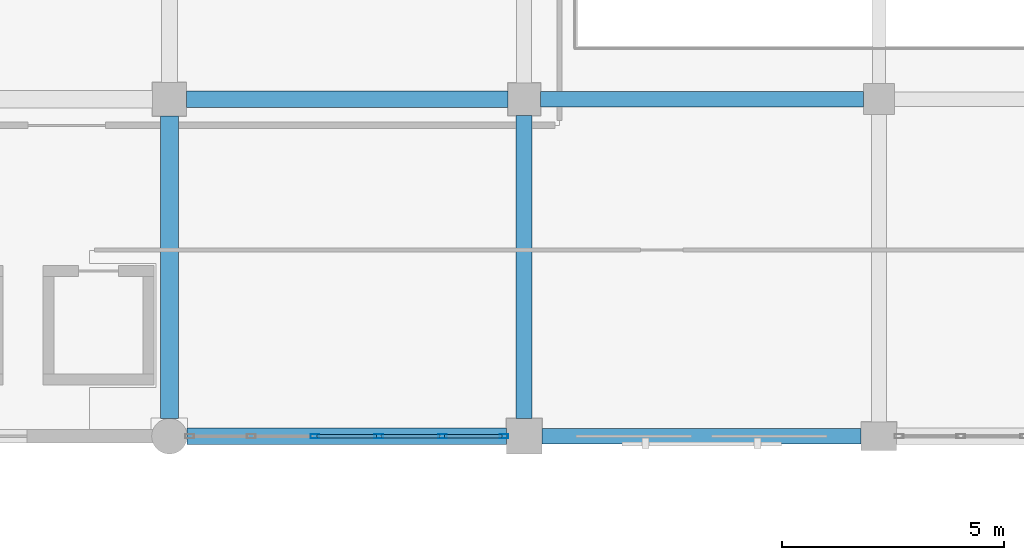
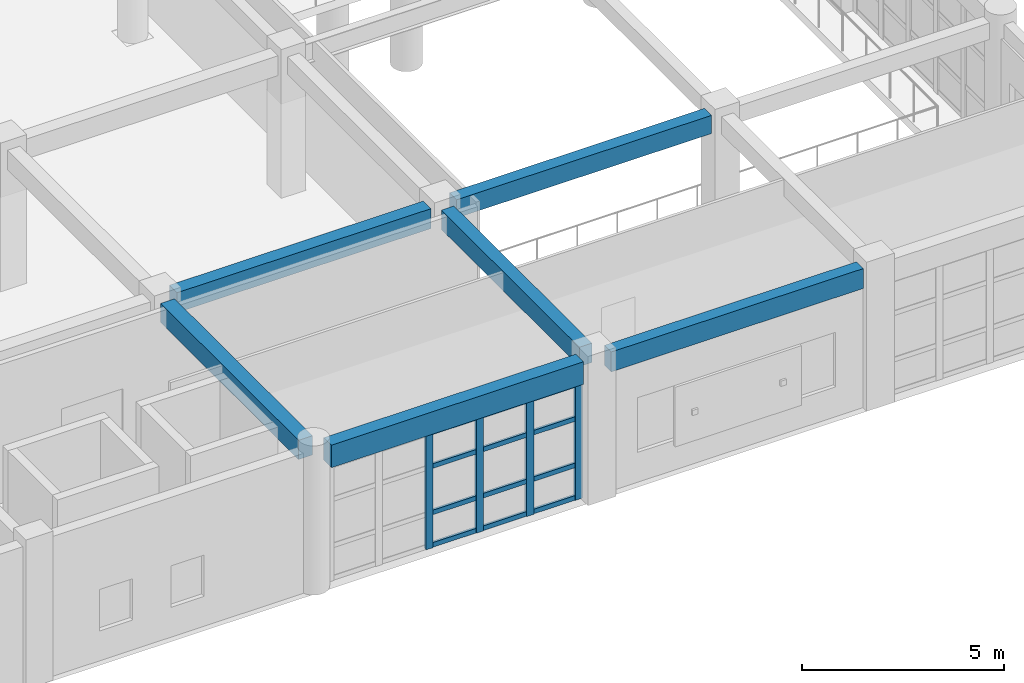
# One storey, part 78 of 166: 16 members, 6 beams, 1 element without a shape of its own.
"""IFC4 building model written with IfcOpenShell, lengths in metres."""

from ifc_helpers import new_model, si_unit, direction, frame, origin, origin_2d, place, context, subcontext, project, spatial, rectangle, hollow_rectangle, extrude, material, material_profile, profile_set, type_object, element, aggregate, save


model = new_model("IFC4")

# Units and contexts
model_context = context("Model", 3, precision=1e-05, world=origin(), true_north=direction((0.0, 1.0)))
body_context = subcontext(model_context, "Body", "Model", "MODEL_VIEW")
ifc_project = project(units=[si_unit("LENGTHUNIT", "METRE"), si_unit("AREAUNIT", "SQUARE_METRE"), si_unit("VOLUMEUNIT", "CUBIC_METRE"), si_unit("PLANEANGLEUNIT", "RADIAN"), si_unit("MASSUNIT", "GRAM", prefix="KILO")], contexts=[model_context])

# Site, building, storey
site_placement = place(None, origin())
site = spatial("IfcSite", under=ifc_project, at=site_placement, CompositionType="ELEMENT")
building_placement = place(site_placement, origin())
building = spatial("IfcBuilding", under=site, at=building_placement, Name="Kharva Crest Polytechnic", CompositionType="ELEMENT")
storey_placement = place(building_placement, origin())
storey = spatial("IfcBuildingStorey", under=building, at=storey_placement, Name="L00", CompositionType="ELEMENT", Elevation=0.0)

# Beams
ifc_material_1 = material(Name="Concrete C35/45", Category="concrete")
ifc_material_profile_1 = material_profile(ifc_material_1, rectangle(XDim=0.35009765625, YDim=0.550048828125, at=origin_2d()), Name="RECT 350 X 550")
ifc_profile_set_1 = profile_set([ifc_material_profile_1], Name="Concrete C35/45")
beam_type_1 = type_object("IfcBeamType", Name="BM-RC-350X550", PredefinedType="BEAM", material=ifc_profile_set_1)
beam_1_placement = place(storey_placement, frame((153.169921875, 7.60009765625, 3.945068359375), z_axis=(1.0, 0.0, 0.0), x_axis=(0.0, 1.0, 0.0)))
element("IfcBeam", 1, at=beam_1_placement, inside=storey, type_object=beam_type_1, Name="L00 Beam B/20-21", PredefinedType="BEAM", context=body_context, shape_type="SweptSolid", body=[
    extrude(rectangle(XDim=0.35009765625, YDim=0.550048828125, at=origin_2d()), origin(), (0.0, 0.0, 1.0), 7.280029296875),
])
ifc_material_profile_2 = material_profile(ifc_material_1, rectangle(XDim=0.360107421875, YDim=0.580078125, at=origin_2d()), Name="RECT 360 X 580")
ifc_profile_set_2 = profile_set([ifc_material_profile_2], Name="Concrete C35/45")
beam_type_2 = type_object("IfcBeamType", Name="BM-RC-360X580", PredefinedType="BEAM", material=ifc_profile_set_2)
beam_2_placement = place(storey_placement, frame((152.800048828125, 0.39990234375, 3.929931640625), z_axis=(0.0, 1.0, 0.0), x_axis=(-1.0, 0.0, 0.0)))
element("IfcBeam", 2, at=beam_2_placement, inside=storey, type_object=beam_type_2, Name="L00 Girder 20/A-B", PredefinedType="BEAM", context=body_context, shape_type="SweptSolid", body=[
    extrude(rectangle(XDim=0.360107421875, YDim=0.580078125, at=origin_2d()), origin(), (0.0, 0.0, 1.0), 6.830078125),
])
ifc_material_profile_3 = material_profile(ifc_material_1, rectangle(XDim=0.3798828125, YDim=0.60009765625, at=origin_2d()), Name="RECT 380 X 600")
ifc_profile_set_3 = profile_set([ifc_material_profile_3], Name="Concrete C35/45")
beam_type_3 = type_object("IfcBeamType", Name="BM-RC-380X600", PredefinedType="BEAM", material=ifc_profile_set_3)
beam_3_placement = place(storey_placement, frame((145.179931640625, 7.60009765625, 3.919921875), z_axis=(1.0, 0.0, 0.0), x_axis=(0.0, 1.0, 0.0)))
element("IfcBeam", 3, at=beam_3_placement, inside=storey, type_object=beam_type_3, Name="L00 Beam B/19-20", PredefinedType="BEAM", context=body_context, shape_type="SweptSolid", body=[
    extrude(rectangle(XDim=0.3798828125, YDim=0.60009765625, at=origin_2d()), origin(), (0.0, 0.0, 1.0), 7.25),
])
ifc_material_profile_4 = material_profile(ifc_material_1, rectangle(XDim=0.39990234375, YDim=0.580078125, at=origin_2d()), Name="RECT 400 X 580")
ifc_profile_set_4 = profile_set([ifc_material_profile_4], Name="Concrete C35/45")
beam_type_4 = type_object("IfcBeamType", Name="BM-RC-400X580", PredefinedType="BEAM", material=ifc_profile_set_4)
beam_4_placement = place(storey_placement, frame((144.800048828125, 0.39990234375, 3.929931640625), z_axis=(0.0, 1.0, 0.0), x_axis=(-1.0, 0.0, 0.0)))
element("IfcBeam", 4, at=beam_4_placement, inside=storey, type_object=beam_type_4, Name="L00 Girder 19/A-B", PredefinedType="BEAM", context=body_context, shape_type="SweptSolid", body=[
    extrude(rectangle(XDim=0.39990234375, YDim=0.580078125, at=origin_2d()), origin(), (0.0, 0.0, 1.0), 6.820068359375),
])

# Curtain wall, members
ifc_material_2 = material(Name="Tempered insulated glass", Category="glass")
curtain_wall_type = type_object("IfcCurtainWallType", Name="CW-SYS-REFECTORY", PredefinedType="USERDEFINED", material=ifc_material_2)
curtain_wall_placement = place(storey_placement, origin())
curtain_wall = element("IfcCurtainWall", 5, at=curtain_wall_placement, inside=storey, type_object=curtain_wall_type, Name="L00 Glazed Curtain Wall CW-008", ObjectType="CURTAIN WALL", PredefinedType="USERDEFINED")
ifc_material_3 = material(Name="Steel S355", Category="steel")
ifc_material_profile_5 = material_profile(ifc_material_3, hollow_rectangle(XDim=0.10009765625, YDim=0.199951171875, WallThickness=0.00634765625, at=origin_2d()), Name="RHS 200X100X6.3")
ifc_profile_set_5 = profile_set([ifc_material_profile_5], Name="Steel S355")
member_type_1 = type_object("IfcMemberType", Name="CWM-RHS200X100", PredefinedType="MULLION", material=ifc_profile_set_5)
member_1_placement = place(storey_placement, frame((148.0810546875, 0.0, 0.0), z_axis=(0.0, 0.0, 1.0), x_axis=(0.0, 1.0, 0.0)))
member_1 = element("IfcMember", 6, at=member_1_placement, type_object=member_type_1, Name="CW-008 mullion 3", PredefinedType="MULLION", context=body_context, shape_type="SweptSolid", body=[
    extrude(hollow_rectangle(XDim=0.10009765625, YDim=0.199951171875, WallThickness=0.00634765625, at=origin_2d()), origin(), (0.0, 0.0, 1.0), 3.5400390625),
])
member_2_placement = place(storey_placement, frame((149.51904296875, 0.0, 0.0), z_axis=(0.0, 0.0, 1.0), x_axis=(0.0, 1.0, 0.0)))
member_2 = element("IfcMember", 7, at=member_2_placement, type_object=member_type_1, Name="CW-008 mullion 4", PredefinedType="MULLION", context=body_context, shape_type="SweptSolid", body=[
    extrude(hollow_rectangle(XDim=0.10009765625, YDim=0.199951171875, WallThickness=0.00634765625, at=origin_2d()), origin(), (0.0, 0.0, 1.0), 3.5400390625),
])
member_3_placement = place(storey_placement, frame((150.95703125, 0.0, 0.0), z_axis=(0.0, 0.0, 1.0), x_axis=(0.0, 1.0, 0.0)))
member_3 = element("IfcMember", 8, at=member_3_placement, type_object=member_type_1, Name="CW-008 mullion 5", PredefinedType="MULLION", context=body_context, shape_type="SweptSolid", body=[
    extrude(hollow_rectangle(XDim=0.10009765625, YDim=0.199951171875, WallThickness=0.00634765625, at=origin_2d()), origin(), (0.0, 0.0, 1.0), 3.5400390625),
])
member_4_placement = place(storey_placement, frame((152.344970703125, 0.0, 0.0), z_axis=(0.0, 0.0, 1.0), x_axis=(0.0, 1.0, 0.0)))
member_4 = element("IfcMember", 9, at=member_4_placement, type_object=member_type_1, Name="CW-008 mullion 6", PredefinedType="MULLION", context=body_context, shape_type="SweptSolid", body=[
    extrude(hollow_rectangle(XDim=0.10009765625, YDim=0.199951171875, WallThickness=0.00634765625, at=origin_2d()), origin(), (0.0, 0.0, 1.0), 3.5400390625),
])
ifc_material_profile_6 = material_profile(ifc_material_3, hollow_rectangle(XDim=0.070068359375, YDim=0.139892578125, WallThickness=0.00390625, at=origin_2d()), Name="RHS 140X70X4.0")
ifc_profile_set_6 = profile_set([ifc_material_profile_6], Name="Steel S355")
member_type_2 = type_object("IfcMemberType", Name="CWT-RHS140X70", PredefinedType="USERDEFINED", material=ifc_profile_set_6)
member_5_placement = place(storey_placement, frame((148.131103515625, 0.0, 0.070068359375), z_axis=(1.0, 0.0, 0.0), x_axis=(0.0, 1.0, 0.0)))
member_5 = element("IfcMember", 10, at=member_5_placement, type_object=member_type_2, Name="CW-008 transom 3.1", ObjectType="TRANSOM", PredefinedType="USERDEFINED", context=body_context, shape_type="SweptSolid", body=[
    extrude(hollow_rectangle(XDim=0.070068359375, YDim=0.139892578125, WallThickness=0.00390625, at=origin_2d()), origin(), (0.0, 0.0, 1.0), 1.337890625),
])
member_6_placement = place(storey_placement, frame((148.131103515625, 0.0, 1.050048828125), z_axis=(1.0, 0.0, 0.0), x_axis=(0.0, 1.0, 0.0)))
member_6 = element("IfcMember", 11, at=member_6_placement, type_object=member_type_2, Name="CW-008 transom 3.2", ObjectType="TRANSOM", PredefinedType="USERDEFINED", context=body_context, shape_type="SweptSolid", body=[
    extrude(hollow_rectangle(XDim=0.070068359375, YDim=0.139892578125, WallThickness=0.00390625, at=origin_2d()), origin(), (0.0, 0.0, 1.0), 1.337890625),
])
member_7_placement = place(storey_placement, frame((148.131103515625, 0.0, 2.449951171875), z_axis=(1.0, 0.0, 0.0), x_axis=(0.0, 1.0, 0.0)))
member_7 = element("IfcMember", 12, at=member_7_placement, type_object=member_type_2, Name="CW-008 transom 3.3", ObjectType="TRANSOM", PredefinedType="USERDEFINED", context=body_context, shape_type="SweptSolid", body=[
    extrude(hollow_rectangle(XDim=0.070068359375, YDim=0.139892578125, WallThickness=0.00390625, at=origin_2d()), origin(), (0.0, 0.0, 1.0), 1.337890625),
])
member_8_placement = place(storey_placement, frame((148.131103515625, 0.0, 3.469970703125), z_axis=(1.0, 0.0, 0.0), x_axis=(0.0, 1.0, 0.0)))
member_8 = element("IfcMember", 13, at=member_8_placement, type_object=member_type_2, Name="CW-008 transom 3.4", ObjectType="TRANSOM", PredefinedType="USERDEFINED", context=body_context, shape_type="SweptSolid", body=[
    extrude(hollow_rectangle(XDim=0.070068359375, YDim=0.139892578125, WallThickness=0.00390625, at=origin_2d()), origin(), (0.0, 0.0, 1.0), 1.337890625),
])
member_9_placement = place(storey_placement, frame((149.569091796875, 0.0, 0.070068359375), z_axis=(1.0, 0.0, 0.0), x_axis=(0.0, 1.0, 0.0)))
member_9 = element("IfcMember", 14, at=member_9_placement, type_object=member_type_2, Name="CW-008 transom 4.1", ObjectType="TRANSOM", PredefinedType="USERDEFINED", context=body_context, shape_type="SweptSolid", body=[
    extrude(hollow_rectangle(XDim=0.070068359375, YDim=0.139892578125, WallThickness=0.00390625, at=origin_2d()), origin(), (0.0, 0.0, 1.0), 1.337890625),
])
member_10_placement = place(storey_placement, frame((149.569091796875, 0.0, 1.050048828125), z_axis=(1.0, 0.0, 0.0), x_axis=(0.0, 1.0, 0.0)))
member_10 = element("IfcMember", 15, at=member_10_placement, type_object=member_type_2, Name="CW-008 transom 4.2", ObjectType="TRANSOM", PredefinedType="USERDEFINED", context=body_context, shape_type="SweptSolid", body=[
    extrude(hollow_rectangle(XDim=0.070068359375, YDim=0.139892578125, WallThickness=0.00390625, at=origin_2d()), origin(), (0.0, 0.0, 1.0), 1.337890625),
])
member_11_placement = place(storey_placement, frame((149.569091796875, 0.0, 2.449951171875), z_axis=(1.0, 0.0, 0.0), x_axis=(0.0, 1.0, 0.0)))
member_11 = element("IfcMember", 16, at=member_11_placement, type_object=member_type_2, Name="CW-008 transom 4.3", ObjectType="TRANSOM", PredefinedType="USERDEFINED", context=body_context, shape_type="SweptSolid", body=[
    extrude(hollow_rectangle(XDim=0.070068359375, YDim=0.139892578125, WallThickness=0.00390625, at=origin_2d()), origin(), (0.0, 0.0, 1.0), 1.337890625),
])
member_12_placement = place(storey_placement, frame((149.569091796875, 0.0, 3.469970703125), z_axis=(1.0, 0.0, 0.0), x_axis=(0.0, 1.0, 0.0)))
member_12 = element("IfcMember", 17, at=member_12_placement, type_object=member_type_2, Name="CW-008 transom 4.4", ObjectType="TRANSOM", PredefinedType="USERDEFINED", context=body_context, shape_type="SweptSolid", body=[
    extrude(hollow_rectangle(XDim=0.070068359375, YDim=0.139892578125, WallThickness=0.00390625, at=origin_2d()), origin(), (0.0, 0.0, 1.0), 1.337890625),
])
member_13_placement = place(storey_placement, frame((151.007080078125, 0.0, 0.070068359375), z_axis=(1.0, 0.0, 0.0), x_axis=(0.0, 1.0, 0.0)))
member_13 = element("IfcMember", 18, at=member_13_placement, type_object=member_type_2, Name="CW-008 transom 5.1", ObjectType="TRANSOM", PredefinedType="USERDEFINED", context=body_context, shape_type="SweptSolid", body=[
    extrude(hollow_rectangle(XDim=0.070068359375, YDim=0.139892578125, WallThickness=0.00390625, at=origin_2d()), origin(), (0.0, 0.0, 1.0), 1.287841796875),
])
member_14_placement = place(storey_placement, frame((151.007080078125, 0.0, 1.050048828125), z_axis=(1.0, 0.0, 0.0), x_axis=(0.0, 1.0, 0.0)))
member_14 = element("IfcMember", 19, at=member_14_placement, type_object=member_type_2, Name="CW-008 transom 5.2", ObjectType="TRANSOM", PredefinedType="USERDEFINED", context=body_context, shape_type="SweptSolid", body=[
    extrude(hollow_rectangle(XDim=0.070068359375, YDim=0.139892578125, WallThickness=0.00390625, at=origin_2d()), origin(), (0.0, 0.0, 1.0), 1.287841796875),
])
member_15_placement = place(storey_placement, frame((151.007080078125, 0.0, 2.449951171875), z_axis=(1.0, 0.0, 0.0), x_axis=(0.0, 1.0, 0.0)))
member_15 = element("IfcMember", 20, at=member_15_placement, type_object=member_type_2, Name="CW-008 transom 5.3", ObjectType="TRANSOM", PredefinedType="USERDEFINED", context=body_context, shape_type="SweptSolid", body=[
    extrude(hollow_rectangle(XDim=0.070068359375, YDim=0.139892578125, WallThickness=0.00390625, at=origin_2d()), origin(), (0.0, 0.0, 1.0), 1.287841796875),
])
member_16_placement = place(storey_placement, frame((151.007080078125, 0.0, 3.469970703125), z_axis=(1.0, 0.0, 0.0), x_axis=(0.0, 1.0, 0.0)))
member_16 = element("IfcMember", 21, at=member_16_placement, type_object=member_type_2, Name="CW-008 transom 5.4", ObjectType="TRANSOM", PredefinedType="USERDEFINED", context=body_context, shape_type="SweptSolid", body=[
    extrude(hollow_rectangle(XDim=0.070068359375, YDim=0.139892578125, WallThickness=0.00390625, at=origin_2d()), origin(), (0.0, 0.0, 1.0), 1.287841796875),
])
aggregate(curtain_wall, [member_1, member_2, member_3, member_4, member_5, member_6, member_7, member_8, member_9, member_10, member_11, member_12, member_13, member_14, member_15, member_16])

# Beams
ifc_material_profile_7 = material_profile(ifc_material_1, rectangle(XDim=0.340087890625, YDim=0.60009765625, at=origin_2d()), Name="RECT 340 X 600")
ifc_profile_set_7 = profile_set([ifc_material_profile_7], Name="Concrete C35/45")
beam_type_5 = type_object("IfcBeamType", Name="SP-RC-340X600", PredefinedType="SPANDREL", material=ifc_profile_set_7)
beam_5_placement = place(storey_placement, frame((153.199951171875, 0.0, 3.919921875), z_axis=(1.0, 0.0, 0.0), x_axis=(0.0, 1.0, 0.0)))
element("IfcBeam", 22, at=beam_5_placement, inside=storey, type_object=beam_type_5, Name="L00 Beam A/20-21", PredefinedType="SPANDREL", context=body_context, shape_type="SweptSolid", body=[
    extrude(rectangle(XDim=0.340087890625, YDim=0.60009765625, at=origin_2d()), origin(), (0.0, 0.0, 1.0), 7.199951171875),
])
ifc_material_profile_8 = material_profile(ifc_material_1, rectangle(XDim=0.3798828125, YDim=0.679931640625, at=origin_2d()), Name="RECT 380 X 680")
ifc_profile_set_8 = profile_set([ifc_material_profile_8], Name="Concrete C35/45")
beam_type_6 = type_object("IfcBeamType", Name="SP-RC-380X680", PredefinedType="SPANDREL", material=ifc_profile_set_8)
beam_6_placement = place(storey_placement, frame((145.199951171875, 0.0, 3.8798828125), z_axis=(1.0, 0.0, 0.0), x_axis=(0.0, 1.0, 0.0)))
element("IfcBeam", 23, at=beam_6_placement, inside=storey, type_object=beam_type_6, Name="L00 Beam A/19-20", PredefinedType="SPANDREL", context=body_context, shape_type="SweptSolid", body=[
    extrude(rectangle(XDim=0.3798828125, YDim=0.679931640625, at=origin_2d()), origin(), (0.0, 0.0, 1.0), 7.199951171875),
])

save(model, "model.ifc")
